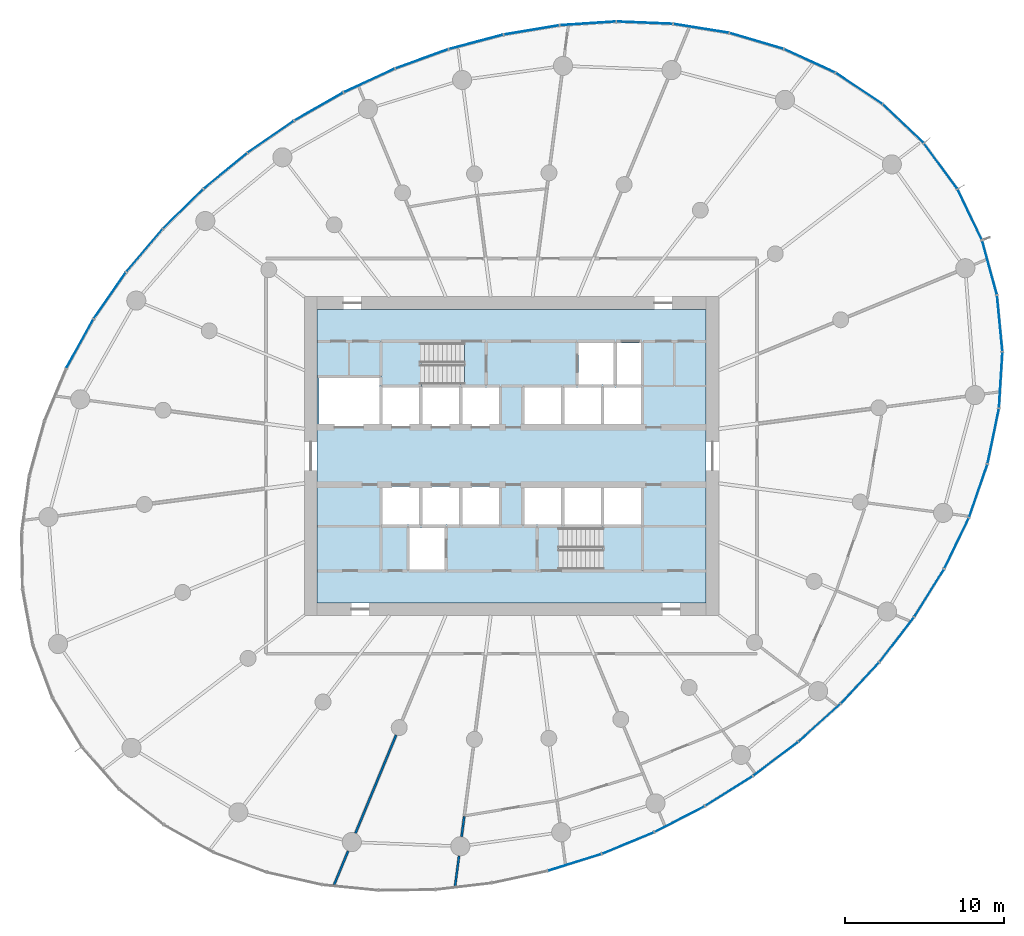
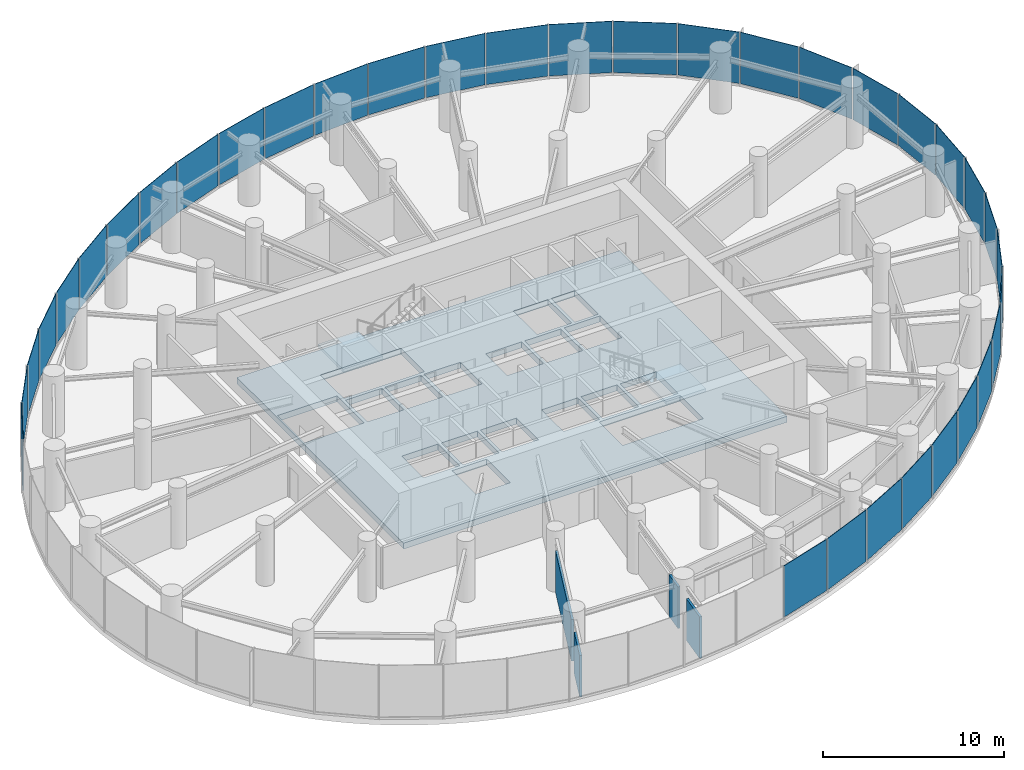
# One storey, part 9 of 17: 35 plates, 4 walls, 3 slabs, 10 elements without a shape of their own.
"""IFC4 building model written with IfcOpenShell, lengths in metres."""

from ifc_helpers import new_model, si_unit, direction, frame, frame_2d, origin, origin_2d, place, context, subcontext, project, spatial, line, indexed_curve, rectangle, outline, extrude, source, transform, mapped, material, layer, layer_set, type_object, element, aggregate, save


model = new_model("IFC4")

# Units and contexts
model_context = context("Model", 3, precision=1e-05, world=origin(), true_north=direction((0.0, 1.0)))
body_context = subcontext(model_context, "Body", "Model", "MODEL_VIEW")
ifc_project = project(units=[si_unit("LENGTHUNIT", "METRE"), si_unit("AREAUNIT", "SQUARE_METRE"), si_unit("VOLUMEUNIT", "CUBIC_METRE"), si_unit("PLANEANGLEUNIT", "RADIAN"), si_unit("MASSUNIT", "GRAM", prefix="KILO")], contexts=[model_context])

# Site, building, storey
site_placement = place(None, origin())
site = spatial("IfcSite", under=ifc_project, at=site_placement, CompositionType="ELEMENT")
building_placement = place(site_placement, origin())
building = spatial("IfcBuilding", under=site, at=building_placement, Name="Spindrift Exchange Tower", CompositionType="ELEMENT")
storey_placement = place(building_placement, frame((0.0, 0.0, 124.89990234375)))
storey = spatial("IfcBuildingStorey", under=building, at=storey_placement, Name="L29", CompositionType="ELEMENT", Elevation=124.89990234375)

# Slab
ifc_material_1 = material(Name="Concrete 50 MPa", Category="concrete")
ifc_layer_1 = layer(ifc_material_1, 0.39990234375)
ifc_layer_set_1 = layer_set([ifc_layer_1], Name="SL-CORE-FLOOR-400")
slab_type_1 = type_object("IfcSlabType", Name="SL-CORE-FLOOR-400", PredefinedType="FLOOR", material=ifc_layer_set_1)
slab_1_placement = place(storey_placement, frame((0.0, 0.0, -0.39990234375)))
element("IfcSlab", 1, at=slab_1_placement, inside=storey, type_object=slab_type_1, Name="L29 Core floor slab", PredefinedType="FLOOR", context=body_context, shape_type="SweptSolid", body=[
    extrude(outline(indexed_curve([(39.800048828125, 38.800048828125), (39.800048828125, 57.199951171875), (64.199951171875, 57.199951171875), (64.199951171875, 38.800048828125)], segments=[line(1, 2, 3, 4, 1)], self_intersect=False), holes=[indexed_curve([(47.800048828125, 43.5), (45.60009765625, 43.5), (45.60009765625, 40.89990234375), (47.800048828125, 40.89990234375)], segments=[line(1, 2, 3, 4, 1)], self_intersect=False), indexed_curve([(46.199951171875, 46.10009765625), (43.89990234375, 46.10009765625), (43.89990234375, 43.699951171875), (46.199951171875, 43.699951171875)], segments=[line(1, 2, 3, 4, 1)], self_intersect=False), indexed_curve([(48.699951171875, 46.10009765625), (46.39990234375, 46.10009765625), (46.39990234375, 43.699951171875), (48.699951171875, 43.699951171875)], segments=[line(1, 2, 3, 4, 1)], self_intersect=False), indexed_curve([(51.199951171875, 46.10009765625), (48.89990234375, 46.10009765625), (48.89990234375, 43.699951171875), (51.199951171875, 43.699951171875)], segments=[line(1, 2, 3, 4, 1)], self_intersect=False), indexed_curve([(46.199951171875, 52.300048828125), (43.89990234375, 52.300048828125), (43.89990234375, 49.89990234375), (46.199951171875, 49.89990234375)], segments=[line(1, 2, 3, 4, 1)], self_intersect=False), indexed_curve([(48.699951171875, 52.300048828125), (46.39990234375, 52.300048828125), (46.39990234375, 49.89990234375), (48.699951171875, 49.89990234375)], segments=[line(1, 2, 3, 4, 1)], self_intersect=False), indexed_curve([(51.199951171875, 52.300048828125), (48.89990234375, 52.300048828125), (48.89990234375, 49.89990234375), (51.199951171875, 49.89990234375)], segments=[line(1, 2, 3, 4, 1)], self_intersect=False), indexed_curve([(43.699951171875, 49.89990234375), (43.699951171875, 52.89990234375), (39.89990234375, 52.89990234375), (39.89990234375, 49.89990234375)], segments=[line(1, 2, 3, 4, 1)], self_intersect=False), indexed_curve([(49.0439453125, 55.093994140625), (43.906005859375, 55.093994140625), (43.906005859375, 52.506103515625), (49.0439453125, 52.506103515625)], segments=[line(1, 2, 3, 4, 1)], self_intersect=False), indexed_curve([(60.093994140625, 40.906005859375), (60.093994140625, 43.493896484375), (54.9560546875, 43.493896484375), (54.9560546875, 40.906005859375)], segments=[line(1, 2, 3, 4, 1)], self_intersect=False), indexed_curve([(55.10009765625, 46.10009765625), (52.800048828125, 46.10009765625), (52.800048828125, 43.699951171875), (55.10009765625, 43.699951171875)], segments=[line(1, 2, 3, 4, 1)], self_intersect=False), indexed_curve([(57.60009765625, 46.10009765625), (55.300048828125, 46.10009765625), (55.300048828125, 43.699951171875), (57.60009765625, 43.699951171875)], segments=[line(1, 2, 3, 4, 1)], self_intersect=False), indexed_curve([(60.10009765625, 46.10009765625), (57.800048828125, 46.10009765625), (57.800048828125, 43.699951171875), (60.10009765625, 43.699951171875)], segments=[line(1, 2, 3, 4, 1)], self_intersect=False), indexed_curve([(55.10009765625, 52.300048828125), (52.800048828125, 52.300048828125), (52.800048828125, 49.89990234375), (55.10009765625, 49.89990234375)], segments=[line(1, 2, 3, 4, 1)], self_intersect=False), indexed_curve([(57.60009765625, 52.300048828125), (55.300048828125, 52.300048828125), (55.300048828125, 49.89990234375), (57.60009765625, 49.89990234375)], segments=[line(1, 2, 3, 4, 1)], self_intersect=False), indexed_curve([(60.10009765625, 52.300048828125), (57.800048828125, 52.300048828125), (57.800048828125, 49.89990234375), (60.10009765625, 49.89990234375)], segments=[line(1, 2, 3, 4, 1)], self_intersect=False), indexed_curve([(58.39990234375, 52.5), (58.39990234375, 55.10009765625), (56.199951171875, 55.10009765625), (56.199951171875, 52.5)], segments=[line(1, 2, 3, 4, 1)], self_intersect=False), indexed_curve([(60.10009765625, 52.5), (60.10009765625, 55.10009765625), (58.60009765625, 55.10009765625), (58.60009765625, 52.5)], segments=[line(1, 2, 3, 4, 1)], self_intersect=False)]), origin(), (0.0, 0.0, 1.0), 0.39990234375),
])

# Stair, slab
stair_type = type_object("IfcStairType", Name="ST-1250-R186", PredefinedType="HALF_TURN_STAIR", material=ifc_material_1)
stair_1_placement = place(storey_placement, origin())
stair_1 = element("IfcStair", 2, at=stair_1_placement, inside=storey, type_object=stair_type, Name="L29 Exit stair ST1", PredefinedType="HALF_TURN_STAIR")
ifc_layer_2 = layer(ifc_material_1, 0.199951171875)
ifc_layer_set_2 = layer_set([ifc_layer_2], Name="SL-LANDING")
slab_type_2 = type_object("IfcSlabType", Name="SL-LANDING", PredefinedType="LANDING", material=ifc_layer_set_2)
slab_2_placement = place(storey_placement, frame((0.0, 0.0, 1.85009765625)))
slab_2 = element("IfcSlab", 3, at=slab_2_placement, type_object=slab_type_2, Name="ST1 landing 1", PredefinedType="LANDING", context=body_context, shape_type="SweptSolid", body=[
    extrude(outline(indexed_curve([(46.330078125, 52.39990234375), (43.800048828125, 52.39990234375), (43.800048828125, 55.199951171875), (46.330078125, 55.199951171875)], segments=[line(1, 2, 3, 4, 1)], self_intersect=False)), origin(), (0.0, 0.0, 1.0), 0.199951171875),
])
aggregate(stair_1, [slab_2])

stair_2_placement = place(storey_placement, origin())
stair_2 = element("IfcStair", 4, at=stair_2_placement, inside=storey, type_object=stair_type, Name="L29 Exit stair ST2", PredefinedType="HALF_TURN_STAIR")
slab_3_placement = place(storey_placement, frame((0.0, 0.0, 1.85009765625)))
slab_3 = element("IfcSlab", 5, at=slab_3_placement, type_object=slab_type_2, Name="ST2 landing 1", PredefinedType="LANDING", context=body_context, shape_type="SweptSolid", body=[
    extrude(outline(indexed_curve([(57.669921875, 43.60009765625), (60.199951171875, 43.60009765625), (60.199951171875, 40.800048828125), (57.669921875, 40.800048828125)], segments=[line(1, 2, 3, 4, 1)], self_intersect=False)), origin(), (0.0, 0.0, 1.0), 0.199951171875),
])
aggregate(stair_2, [slab_3])

# Curtain wall, plates
ifc_material_2 = material(Name="Fritted laminated glass with bronze frame", Category="glass")
ifc_layer_3 = layer(ifc_material_2, 0.18994140625)
ifc_layer_set_3 = layer_set([ifc_layer_3], Name="ZONE 2 BRONZE FRITTED WALL")
curtain_wall_type = type_object("IfcCurtainWallType", Name="ZONE 2 BRONZE FRITTED WALL", PredefinedType="NOTDEFINED", material=ifc_layer_set_3)
curtain_wall_1_placement = place(storey_placement, origin())
curtain_wall_1 = element("IfcCurtainWall", 6, at=curtain_wall_1_placement, inside=storey, type_object=curtain_wall_type, Name="L29 Zone 2 Bronze Fritted Wall run 1", PredefinedType="NOTDEFINED")
ifc_material_3 = material(Name="Bronze fritted laminated glass, close frit", Category="glass")
ifc_layer_4 = layer(ifc_material_3, 0.033935546875)
ifc_layer_set_4 = layer_set([ifc_layer_4], Name="ZONE 2 BRONZE FRITTED WALL PANEL CLOSE FRIT 420")
plate_type_1 = type_object("IfcPlateType", Name="ZONE 2 BRONZE FRITTED WALL PANEL CLOSE FRIT 420", PredefinedType="CURTAIN_PANEL", material=ifc_layer_set_4)
shared_shape_1 = source(origin(), body_context, "Body", "SweptSolid", [
    extrude(rectangle(XDim=3.48779296875, YDim=0.033935546875, at=origin_2d()), origin(), (0.0, 0.0, 1.0), 3.4599609375),
])
plate_1_placement = place(storey_placement, frame((78.911865234375, 66.188720703125, 0.14013671875), z_axis=(0.0, 0.0, 1.0), x_axis=(-0.590659185956, 0.806921139918, 0.0)))
plate_1 = element("IfcPlate", 7, at=plate_1_placement, type_object=plate_type_1, Name="L29 panel CW-2.1", PredefinedType="CURTAIN_PANEL", context=body_context, shape_type="MappedRepresentation", body=[
    mapped(shared_shape_1, transform((0.0, 0.0, 0.0), scale=1.0)),
])
ifc_layer_5 = layer(ifc_material_3, 0.033935546875)
ifc_layer_set_5 = layer_set([ifc_layer_5], Name="ZONE 2 BRONZE FRITTED WALL PANEL CLOSE FRIT 300")
plate_type_2 = type_object("IfcPlateType", Name="ZONE 2 BRONZE FRITTED WALL PANEL CLOSE FRIT 300", PredefinedType="CURTAIN_PANEL", material=ifc_layer_set_5)
shared_shape_2 = source(origin(), body_context, "Body", "SweptSolid", [
    extrude(rectangle(XDim=3.488037109375, YDim=0.033935546875, at=origin_2d()), origin(), (0.0, 0.0, 1.0), 3.4599609375),
])
plate_2_placement = place(storey_placement, frame((76.566162109375, 68.851318359375, 0.14013671875), z_axis=(0.0, 0.0, 1.0), x_axis=(-0.726028808688, 0.687664285066, 0.0)))
plate_2 = element("IfcPlate", 8, at=plate_2_placement, type_object=plate_type_2, Name="L29 panel CW-2.2", PredefinedType="CURTAIN_PANEL", context=body_context, shape_type="MappedRepresentation", body=[
    mapped(shared_shape_2, transform((0.0, 0.0, 0.0), scale=1.0)),
])
shared_shape_3 = source(origin(), body_context, "Body", "SweptSolid", [
    extrude(rectangle(XDim=3.48876953125, YDim=0.033935546875, at=origin_2d()), origin(), (0.0, 0.0, 1.0), 3.4599609375),
])
plate_3_placement = place(storey_placement, frame((73.789794921875, 71.064208984375, 0.14013671875), z_axis=(0.0, 0.0, 1.0), x_axis=(-0.832330632592, 0.55427945844, 0.0)))
plate_3 = element("IfcPlate", 9, at=plate_3_placement, type_object=plate_type_1, Name="L29 panel CW-2.3", PredefinedType="CURTAIN_PANEL", context=body_context, shape_type="MappedRepresentation", body=[
    mapped(shared_shape_3, transform((0.0, 0.0, 0.0), scale=1.0)),
])

# Curtain wall, plate
curtain_wall_2_placement = place(storey_placement, origin())
curtain_wall_2 = element("IfcCurtainWall", 10, at=curtain_wall_2_placement, inside=storey, type_object=curtain_wall_type, Name="L29 Zone 2 Bronze Fritted Wall run 9", PredefinedType="NOTDEFINED")
plate_4_placement = place(storey_placement, frame((82.616455078125, 56.328857421875, 0.14013671875), z_axis=(0.0, 0.0, 1.0), x_axis=(-0.095965625118, 0.995384648664, 0.0)))
plate_4 = element("IfcPlate", 11, at=plate_4_placement, type_object=plate_type_1, Name="L29 panel CW-2.49", PredefinedType="CURTAIN_PANEL", context=body_context, shape_type="MappedRepresentation", body=[
    mapped(shared_shape_3, transform((0.0, 0.0, 0.0), scale=1.0)),
])

# Plate
shared_shape_4 = source(origin(), body_context, "Body", "SweptSolid", [
    extrude(rectangle(XDim=3.489501953125, YDim=0.033935546875, at=origin_2d()), origin(), (0.0, 0.0, 1.0), 3.4599609375),
])
plate_5_placement = place(storey_placement, frame((70.686767578125, 72.795166015625, 0.14013671875), z_axis=(0.0, 0.0, 1.0), x_axis=(-0.908849194131, 0.417124852206, 0.0)))
plate_5 = element("IfcPlate", 12, at=plate_5_placement, type_object=plate_type_2, Name="L29 panel CW-2.4", PredefinedType="CURTAIN_PANEL", context=body_context, shape_type="MappedRepresentation", body=[
    mapped(shared_shape_4, transform((0.0, 0.0, 0.0), scale=1.0)),
])

# Curtain wall, plate
curtain_wall_3_placement = place(storey_placement, origin())
curtain_wall_3 = element("IfcCurtainWall", 13, at=curtain_wall_3_placement, inside=storey, type_object=curtain_wall_type, Name="L29 Zone 2 Bronze Fritted Wall run 8", PredefinedType="NOTDEFINED")
plate_6_placement = place(storey_placement, frame((82.6787109375, 52.7763671875, 0.14013671875), z_axis=(0.0, 0.0, 1.0), x_axis=(0.061076412693, 0.998133093236, 0.0)))
plate_6 = element("IfcPlate", 14, at=plate_6_placement, type_object=plate_type_2, Name="L29 panel CW-2.48", PredefinedType="CURTAIN_PANEL", context=body_context, shape_type="MappedRepresentation", body=[
    mapped(shared_shape_4, transform((0.0, 0.0, 0.0), scale=1.0)),
])

# Plate
shared_shape_5 = source(origin(), body_context, "Body", "SweptSolid", [
    extrude(rectangle(XDim=3.489990234375, YDim=0.033935546875, at=origin_2d()), origin(), (0.0, 0.0, 1.0), 3.4599609375),
])
plate_7_placement = place(storey_placement, frame((67.35791015625, 74.044189453125, 0.14013671875), z_axis=(0.0, 0.0, 1.0), x_axis=(-0.958929213304, 0.283645489781, 0.0)))
plate_7 = element("IfcPlate", 15, at=plate_7_placement, type_object=plate_type_2, Name="L29 panel CW-2.5", PredefinedType="CURTAIN_PANEL", context=body_context, shape_type="MappedRepresentation", body=[
    mapped(shared_shape_5, transform((0.0, 0.0, 0.0), scale=1.0)),
])

plate_8_placement = place(storey_placement, frame((82.208984375, 49.251953125, 0.14013671875), z_axis=(0.0, 0.0, 1.0), x_axis=(0.202353172625, 0.979312612769, 0.0)))
plate_8 = element("IfcPlate", 16, at=plate_8_placement, type_object=plate_type_2, Name="L29 panel CW-2.47", PredefinedType="CURTAIN_PANEL", context=body_context, shape_type="MappedRepresentation", body=[
    mapped(shared_shape_5, transform((0.0, 0.0, 0.0), scale=1.0)),
])

shared_shape_6 = source(origin(), body_context, "Body", "SweptSolid", [
    extrude(rectangle(XDim=3.490478515625, YDim=0.033935546875, at=origin_2d()), origin(), (0.0, 0.0, 1.0), 3.4599609375),
])
plate_9_placement = place(storey_placement, frame((63.88818359375, 74.831298828125, 0.14013671875), z_axis=(0.0, 0.0, 1.0), x_axis=(-0.98744553122, 0.157959877417, 0.0)))
plate_9 = element("IfcPlate", 17, at=plate_9_placement, type_object=plate_type_1, Name="L29 panel CW-2.6", PredefinedType="CURTAIN_PANEL", context=body_context, shape_type="MappedRepresentation", body=[
    mapped(shared_shape_6, transform((0.0, 0.0, 0.0), scale=1.0)),
])

aggregate(curtain_wall_1, [plate_1, plate_2, plate_3, plate_5, plate_7, plate_9])

plate_10_placement = place(storey_placement, frame((81.26611328125, 45.8212890625, 0.14013671875), z_axis=(0.0, 0.0, 1.0), x_axis=(0.326658747012, 0.945142350655, 0.0)))
plate_10 = element("IfcPlate", 18, at=plate_10_placement, type_object=plate_type_1, Name="L29 panel CW-2.46", PredefinedType="CURTAIN_PANEL", context=body_context, shape_type="MappedRepresentation", body=[
    mapped(shared_shape_6, transform((0.0, 0.0, 0.0), scale=1.0)),
])

# Curtain wall, plate
curtain_wall_4_placement = place(storey_placement, origin())
curtain_wall_4 = element("IfcCurtainWall", 19, at=curtain_wall_4_placement, inside=storey, type_object=curtain_wall_type, Name="L29 Zone 2 Bronze Fritted Wall run 2", PredefinedType="NOTDEFINED")
shared_shape_7 = source(origin(), body_context, "Body", "SweptSolid", [
    extrude(rectangle(XDim=3.490966796875, YDim=0.033935546875, at=origin_2d()), origin(), (0.0, 0.0, 1.0), 3.4599609375),
])
plate_11_placement = place(storey_placement, frame((60.346435546875, 75.18701171875, 0.14013671875), z_axis=(0.0, 0.0, 1.0), x_axis=(-0.999138328547, 0.041504221806, 0.0)))
plate_11 = element("IfcPlate", 20, at=plate_11_placement, type_object=plate_type_2, Name="L29 panel CW-2.7", PredefinedType="CURTAIN_PANEL", context=body_context, shape_type="MappedRepresentation", body=[
    mapped(shared_shape_7, transform((0.0, 0.0, 0.0), scale=1.0)),
])

# Plate
plate_12_placement = place(storey_placement, frame((79.908447265625, 42.53076171875, 0.14013671875), z_axis=(0.0, 0.0, 1.0), x_axis=(0.434842934828, 0.900506314265, 0.0)))
plate_12 = element("IfcPlate", 21, at=plate_12_placement, type_object=plate_type_2, Name="L29 panel CW-2.45", PredefinedType="CURTAIN_PANEL", context=body_context, shape_type="MappedRepresentation", body=[
    mapped(shared_shape_7, transform((0.0, 0.0, 0.0), scale=1.0)),
])

ifc_layer_6 = layer(ifc_material_3, 0.033935546875)
ifc_layer_set_6 = layer_set([ifc_layer_6], Name="ZONE 2 BRONZE FRITTED WALL PANEL CLOSE FRIT 540")
plate_type_3 = type_object("IfcPlateType", Name="ZONE 2 BRONZE FRITTED WALL PANEL CLOSE FRIT 540", PredefinedType="CURTAIN_PANEL", material=ifc_layer_set_6)
shared_shape_8 = source(origin(), body_context, "Body", "SweptSolid", [
    extrude(rectangle(XDim=3.4912109375, YDim=0.033935546875, at=origin_2d()), origin(), (0.0, 0.0, 1.0), 3.4599609375),
])
plate_13_placement = place(storey_placement, frame((56.78564453125, 75.143798828125, 0.14013671875), z_axis=(0.0, 0.0, 1.0), x_axis=(-0.997839244477, -0.065702680166, 0.0)))
plate_13 = element("IfcPlate", 22, at=plate_13_placement, type_object=plate_type_3, Name="L29 panel CW-2.8", PredefinedType="CURTAIN_PANEL", context=body_context, shape_type="MappedRepresentation", body=[
    mapped(shared_shape_8, transform((0.0, 0.0, 0.0), scale=1.0)),
])

# Curtain wall, plate
curtain_wall_5_placement = place(storey_placement, origin())
curtain_wall_5 = element("IfcCurtainWall", 23, at=curtain_wall_5_placement, inside=storey, type_object=curtain_wall_type, Name="L29 Zone 2 Bronze Fritted Wall run 3", PredefinedType="NOTDEFINED")
plate_14_placement = place(storey_placement, frame((26.788818359375, 58.076416015625, 0.14013671875), z_axis=(0.0, 0.0, 1.0), x_axis=(-0.570995869564, -0.820952932232, 0.0)))
plate_14 = element("IfcPlate", 24, at=plate_14_placement, type_object=plate_type_3, Name="L29 panel CW-2.18", PredefinedType="CURTAIN_PANEL", context=body_context, shape_type="MappedRepresentation", body=[
    mapped(shared_shape_8, transform((0.0, 0.0, 0.0), scale=1.0)),
])

# Plate
shared_shape_9 = source(origin(), body_context, "Body", "SweptSolid", [
    extrude(rectangle(XDim=3.491455078125, YDim=0.033935546875, at=origin_2d()), origin(), (0.0, 0.0, 1.0), 3.4599609375),
])
plate_15_placement = place(storey_placement, frame((53.24755859375, 74.7333984375, 0.14013671875), z_axis=(0.0, 0.0, 1.0), x_axis=(-0.986384804265, -0.164453695352, 0.0)))
plate_15 = element("IfcPlate", 25, at=plate_15_placement, type_object=plate_type_1, Name="L29 panel CW-2.9", PredefinedType="CURTAIN_PANEL", context=body_context, shape_type="MappedRepresentation", body=[
    mapped(shared_shape_9, transform((0.0, 0.0, 0.0), scale=1.0)),
])

shared_shape_10 = source(origin(), body_context, "Body", "SweptSolid", [
    extrude(rectangle(XDim=3.49169921875, YDim=0.033935546875, at=origin_2d()), origin(), (0.0, 0.0, 1.0), 3.4599609375),
])
plate_16_placement = place(storey_placement, frame((49.7646484375, 73.98388671875, 0.14013671875), z_axis=(0.0, 0.0, 1.0), x_axis=(-0.966731483705, -0.255793350997, 0.0)))
plate_16 = element("IfcPlate", 26, at=plate_16_placement, type_object=plate_type_2, Name="L29 panel CW-2.10", PredefinedType="CURTAIN_PANEL", context=body_context, shape_type="MappedRepresentation", body=[
    mapped(shared_shape_10, transform((0.0, 0.0, 0.0), scale=1.0)),
])

plate_17_placement = place(storey_placement, frame((46.3642578125, 72.920166015625, 0.14013671875), z_axis=(0.0, 0.0, 1.0), x_axis=(-0.940135950116, -0.340799640991, 0.0)))
plate_17 = element("IfcPlate", 27, at=plate_17_placement, type_object=plate_type_2, Name="L29 panel CW-2.11", PredefinedType="CURTAIN_PANEL", context=body_context, shape_type="MappedRepresentation", body=[
    mapped(shared_shape_10, transform((0.0, 0.0, 0.0), scale=1.0)),
])

plate_18_placement = place(storey_placement, frame((43.069580078125, 71.5625, 0.14013671875), z_axis=(0.0, 0.0, 1.0), x_axis=(-0.907290032688, -0.42050540613, 0.0)))
plate_18 = element("IfcPlate", 28, at=plate_18_placement, type_object=plate_type_2, Name="L29 panel CW-2.12", PredefinedType="CURTAIN_PANEL", context=body_context, shape_type="MappedRepresentation", body=[
    mapped(shared_shape_10, transform((0.0, 0.0, 0.0), scale=1.0)),
])

aggregate(curtain_wall_4, [plate_11, plate_13, plate_15, plate_16, plate_17, plate_18])

plate_19_placement = place(storey_placement, frame((36.88525390625, 68.033203125, 0.14013671875), z_axis=(0.0, 0.0, 1.0), x_axis=(-0.823645449431, -0.567105081649, 0.0)))
plate_19 = element("IfcPlate", 29, at=plate_19_placement, type_object=plate_type_2, Name="L29 panel CW-2.14", PredefinedType="CURTAIN_PANEL", context=body_context, shape_type="MappedRepresentation", body=[
    mapped(shared_shape_10, transform((0.0, 0.0, 0.0), scale=1.0)),
])

plate_20_placement = place(storey_placement, frame((34.0390625, 65.888916015625, 0.14013671875), z_axis=(0.0, 0.0, 1.0), x_axis=(-0.772364541036, -0.635179514587, 0.0)))
plate_20 = element("IfcPlate", 30, at=plate_20_placement, type_object=plate_type_2, Name="L29 panel CW-2.15", PredefinedType="CURTAIN_PANEL", context=body_context, shape_type="MappedRepresentation", body=[
    mapped(shared_shape_10, transform((0.0, 0.0, 0.0), scale=1.0)),
])

# Curtain wall, plate
curtain_wall_6_placement = place(storey_placement, origin())
curtain_wall_6 = element("IfcCurtainWall", 31, at=curtain_wall_6_placement, inside=storey, type_object=curtain_wall_type, Name="L29 Zone 2 Bronze Fritted Wall run 7", PredefinedType="NOTDEFINED")
plate_21_placement = place(storey_placement, frame((65.6259765625, 26.9873046875, 0.14013671875), z_axis=(0.0, 0.0, 1.0), x_axis=(0.846850991461, 0.531830234437, 0.0)))
plate_21 = element("IfcPlate", 32, at=plate_21_placement, type_object=plate_type_2, Name="L29 panel CW-2.39", PredefinedType="CURTAIN_PANEL", context=body_context, shape_type="MappedRepresentation", body=[
    mapped(shared_shape_10, transform((0.0, 0.0, 0.0), scale=1.0)),
])

# Plate
shared_shape_11 = source(origin(), body_context, "Body", "SweptSolid", [
    extrude(rectangle(XDim=3.49169921875, YDim=0.033935546875, at=origin_2d()), origin(), (0.0, 0.0, 1.0), 3.4599609375),
])
plate_22_placement = place(storey_placement, frame((39.90283203125, 69.928466796875, 0.14013671875), z_axis=(0.0, 0.0, 1.0), x_axis=(-0.868491392081, -0.495704248399, 0.0)))
plate_22 = element("IfcPlate", 33, at=plate_22_placement, type_object=plate_type_3, Name="L29 panel CW-2.13", PredefinedType="CURTAIN_PANEL", context=body_context, shape_type="MappedRepresentation", body=[
    mapped(shared_shape_11, transform((0.0, 0.0, 0.0), scale=1.0)),
])

# Curtain wall, plate
curtain_wall_7_placement = place(storey_placement, origin())
curtain_wall_7 = element("IfcCurtainWall", 34, at=curtain_wall_7_placement, inside=storey, type_object=curtain_wall_type, Name="L29 Zone 2 Bronze Fritted Wall run 6", PredefinedType="NOTDEFINED")
plate_23_placement = place(storey_placement, frame((55.947265625, 22.510009765625, 0.14013671875), z_axis=(0.0, 0.0, 1.0), x_axis=(0.95424502572, 0.299025803047, 0.0)))
plate_23 = element("IfcPlate", 35, at=plate_23_placement, type_object=plate_type_3, Name="L29 panel CW-2.36", PredefinedType="CURTAIN_PANEL", context=body_context, shape_type="MappedRepresentation", body=[
    mapped(shared_shape_11, transform((0.0, 0.0, 0.0), scale=1.0)),
])
aggregate(curtain_wall_7, [plate_23])

# Plate
plate_24_placement = place(storey_placement, frame((68.560791015625, 29.008544921875, 0.14013671875), z_axis=(0.0, 0.0, 1.0), x_axis=(0.798841334926, 0.601541787089, 0.0)))
plate_24 = element("IfcPlate", 36, at=plate_24_placement, type_object=plate_type_3, Name="L29 panel CW-2.40", PredefinedType="CURTAIN_PANEL", context=body_context, shape_type="MappedRepresentation", body=[
    mapped(shared_shape_11, transform((0.0, 0.0, 0.0), scale=1.0)),
])

plate_25_placement = place(storey_placement, frame((71.3125, 31.272705078125, 0.14013671875), z_axis=(0.0, 0.0, 1.0), x_axis=(0.744104035706, 0.668063757471, 0.0)))
plate_25 = element("IfcPlate", 37, at=plate_25_placement, type_object=plate_type_3, Name="L29 panel CW-2.41", PredefinedType="CURTAIN_PANEL", context=body_context, shape_type="MappedRepresentation", body=[
    mapped(shared_shape_11, transform((0.0, 0.0, 0.0), scale=1.0)),
])

shared_shape_12 = source(origin(), body_context, "Body", "SweptSolid", [
    extrude(rectangle(XDim=3.491455078125, YDim=0.033935546875, at=origin_2d()), origin(), (0.0, 0.0, 1.0), 3.4599609375),
])
plate_26_placement = place(storey_placement, frame((31.388427734375, 63.507568359375, 0.14013671875), z_axis=(0.0, 0.0, 1.0), x_axis=(-0.713915612255, -0.700231746338, 0.0)))
plate_26 = element("IfcPlate", 38, at=plate_26_placement, type_object=plate_type_3, Name="L29 panel CW-2.16", PredefinedType="CURTAIN_PANEL", context=body_context, shape_type="MappedRepresentation", body=[
    mapped(shared_shape_12, transform((0.0, 0.0, 0.0), scale=1.0)),
])

plate_27_placement = place(storey_placement, frame((28.961181640625, 60.8994140625, 0.14013671875), z_axis=(0.0, 0.0, 1.0), x_axis=(-0.647226276713, -0.762297938297, 0.0)))
plate_27 = element("IfcPlate", 39, at=plate_27_placement, type_object=plate_type_3, Name="L29 panel CW-2.17", PredefinedType="CURTAIN_PANEL", context=body_context, shape_type="MappedRepresentation", body=[
    mapped(shared_shape_12, transform((0.0, 0.0, 0.0), scale=1.0)),
])

aggregate(curtain_wall_5, [plate_22, plate_19, plate_20, plate_26, plate_27, plate_14])

plate_28_placement = place(storey_placement, frame((73.85498046875, 33.768798828125, 0.14013671875), z_axis=(0.0, 0.0, 1.0), x_axis=(0.681668966054, 0.731660727878, 0.0)))
plate_28 = element("IfcPlate", 40, at=plate_28_placement, type_object=plate_type_3, Name="L29 panel CW-2.42", PredefinedType="CURTAIN_PANEL", context=body_context, shape_type="MappedRepresentation", body=[
    mapped(shared_shape_12, transform((0.0, 0.0, 0.0), scale=1.0)),
])

# Curtain wall, plate
curtain_wall_8_placement = place(storey_placement, origin())
curtain_wall_8 = element("IfcCurtainWall", 41, at=curtain_wall_8_placement, inside=storey, type_object=curtain_wall_type, Name="L29 Zone 2 Bronze Fritted Wall run 4", PredefinedType="NOTDEFINED")
shared_shape_13 = source(origin(), body_context, "Body", "SweptSolid", [
    extrude(rectangle(XDim=3.490966796875, YDim=0.033935546875, at=origin_2d()), origin(), (0.0, 0.0, 1.0), 3.4599609375),
])
plate_29_placement = place(storey_placement, frame((24.90869140625, 55.0517578125, 0.14013671875), z_axis=(0.0, 0.0, 1.0), x_axis=(-0.483450451471, -0.875371727309, 0.0)))
plate_29 = element("IfcPlate", 42, at=plate_29_placement, type_object=plate_type_1, Name="L29 panel CW-2.19", PredefinedType="CURTAIN_PANEL", context=body_context, shape_type="MappedRepresentation", body=[
    mapped(shared_shape_13, transform((0.0, 0.0, 0.0), scale=1.0)),
])
aggregate(curtain_wall_8, [plate_29])

# Plate
shared_shape_14 = source(origin(), body_context, "Body", "SweptSolid", [
    extrude(rectangle(XDim=3.48779296875, YDim=0.033935546875, at=origin_2d()), origin(), (0.0, 0.0, 1.0), 3.4599609375),
])
plate_30_placement = place(storey_placement, frame((80.73486328125, 63.1455078125, 0.14013671875), z_axis=(0.0, 0.0, 1.0), x_axis=(-0.432738843199, 0.901519325132, 0.0)))
plate_30 = element("IfcPlate", 43, at=plate_30_placement, type_object=plate_type_2, Name="L29 panel CW-2.51", PredefinedType="CURTAIN_PANEL", context=body_context, shape_type="MappedRepresentation", body=[
    mapped(shared_shape_14, transform((0.0, 0.0, 0.0), scale=1.0)),
])

shared_shape_15 = source(origin(), body_context, "Body", "SweptSolid", [
    extrude(rectangle(XDim=3.4912109375, YDim=0.033935546875, at=origin_2d()), origin(), (0.0, 0.0, 1.0), 3.4599609375),
])
plate_31_placement = place(storey_placement, frame((78.190185546875, 39.411865234375, 0.14013671875), z_axis=(0.0, 0.0, 1.0), x_axis=(0.528779091214, 0.848759490489, 0.0)))
plate_31 = element("IfcPlate", 44, at=plate_31_placement, type_object=plate_type_2, Name="L29 panel CW-2.44", PredefinedType="CURTAIN_PANEL", context=body_context, shape_type="MappedRepresentation", body=[
    mapped(shared_shape_15, transform((0.0, 0.0, 0.0), scale=1.0)),
])

shared_shape_16 = source(origin(), body_context, "Body", "SweptSolid", [
    extrude(rectangle(XDim=3.49169921875, YDim=0.033935546875, at=origin_2d()), origin(), (0.0, 0.0, 1.0), 3.4599609375),
])
plate_32_placement = place(storey_placement, frame((59.297607421875, 23.723388671875, 0.14013671875), z_axis=(0.0, 0.0, 1.0), x_axis=(0.924457551299, 0.381284979834, 0.0)))
plate_32 = element("IfcPlate", 45, at=plate_32_placement, type_object=plate_type_1, Name="L29 panel CW-2.37", PredefinedType="CURTAIN_PANEL", context=body_context, shape_type="MappedRepresentation", body=[
    mapped(shared_shape_16, transform((0.0, 0.0, 0.0), scale=1.0)),
])

plate_33_placement = place(storey_placement, frame((62.531005859375, 25.220947265625, 0.14013671875), z_axis=(0.0, 0.0, 1.0), x_axis=(0.888640445857, 0.458604576937, 0.0)))
plate_33 = element("IfcPlate", 46, at=plate_33_placement, type_object=plate_type_1, Name="L29 panel CW-2.38", PredefinedType="CURTAIN_PANEL", context=body_context, shape_type="MappedRepresentation", body=[
    mapped(shared_shape_16, transform((0.0, 0.0, 0.0), scale=1.0)),
])

aggregate(curtain_wall_6, [plate_32, plate_33, plate_21, plate_24, plate_25, plate_28])

shared_shape_17 = source(origin(), body_context, "Body", "SweptSolid", [
    extrude(rectangle(XDim=3.491455078125, YDim=0.033935546875, at=origin_2d()), origin(), (0.0, 0.0, 1.0), 3.4599609375),
])
plate_34_placement = place(storey_placement, frame((76.158935546875, 36.486083984375, 0.14013671875), z_axis=(0.0, 0.0, 1.0), x_axis=(0.610398186327, 0.792094725477, 0.0)))
plate_34 = element("IfcPlate", 47, at=plate_34_placement, type_object=plate_type_2, Name="L29 panel CW-2.43", PredefinedType="CURTAIN_PANEL", context=body_context, shape_type="MappedRepresentation", body=[
    mapped(shared_shape_17, transform((0.0, 0.0, 0.0), scale=1.0)),
])

aggregate(curtain_wall_3, [plate_34, plate_31, plate_12, plate_10, plate_8, plate_6])

shared_shape_18 = source(origin(), body_context, "Body", "SweptSolid", [
    extrude(rectangle(XDim=3.488037109375, YDim=0.033935546875, at=origin_2d()), origin(), (0.0, 0.0, 1.0), 3.4599609375),
])
plate_35_placement = place(storey_placement, frame((81.9755859375, 59.821044921875, 0.14013671875), z_axis=(0.0, 0.0, 1.0), x_axis=(-0.26372826855, 0.964597014493, 0.0)))
plate_35 = element("IfcPlate", 48, at=plate_35_placement, type_object=plate_type_1, Name="L29 panel CW-2.50", PredefinedType="CURTAIN_PANEL", context=body_context, shape_type="MappedRepresentation", body=[
    mapped(shared_shape_18, transform((0.0, 0.0, 0.0), scale=1.0)),
])

aggregate(curtain_wall_2, [plate_4, plate_35, plate_30])

# Walls
ifc_material_4 = material(Name="Fire-rated plasterboard partition", Category="gypsum")
ifc_layer_7 = layer(ifc_material_4, 0.139892578125)
ifc_layer_set_7 = layer_set([ifc_layer_7], Name="W-PLANT-140")
wall_type = type_object("IfcWallType", Name="W-PLANT-140", PredefinedType="PARTITIONING", material=ifc_layer_set_7)
wall_1_placement = place(storey_placement, frame((44.752197265625, 30.502197265625, 0.0), z_axis=(0.0, 0.0, 1.0), x_axis=(-0.382696989205, -0.923873916968, 0.0)))
element("IfcWall", 49, at=wall_1_placement, inside=storey, type_object=wall_type, Name="L29 Partition wall 68", PredefinedType="PARTITIONING", context=body_context, shape_type="SweptSolid", body=[
    extrude(rectangle(XDim=6.662841796875, YDim=0.139892578125, at=frame_2d((3.33154296875, 0.0))), origin(), (0.0, 0.0, 1.0), 2.800048828125),
])
wall_2_placement = place(storey_placement, frame((41.739501953125, 23.22900390625, 0.0), z_axis=(0.0, 0.0, 1.0), x_axis=(-0.382697386614, -0.923873752348, 0.0)))
element("IfcWall", 50, at=wall_2_placement, inside=storey, type_object=wall_type, Name="L29 Partition wall 100", PredefinedType="PARTITIONING", context=body_context, shape_type="SweptSolid", body=[
    extrude(rectangle(XDim=2.28759765625, YDim=0.139892578125, at=frame_2d((1.143798828125, 0.0))), origin(), (0.0, 0.0, 1.0), 2.800048828125),
])
wall_3_placement = place(storey_placement, frame((48.69873046875, 22.924072265625, 0.0), z_axis=(0.0, 0.0, 1.0), x_axis=(-0.130527053476, -0.991444747987, 0.0)))
element("IfcWall", 51, at=wall_3_placement, inside=storey, type_object=wall_type, Name="L29 Partition wall 106", PredefinedType="PARTITIONING", context=body_context, shape_type="SweptSolid", body=[
    extrude(rectangle(XDim=1.915283203125, YDim=0.139892578125, at=frame_2d((0.95751953125, 0.0))), origin(), (0.0, 0.0, 1.0), 2.800048828125),
])
wall_4_placement = place(storey_placement, frame((49.02490234375, 25.401611328125, 0.0), z_axis=(0.0, 0.0, 1.0), x_axis=(-0.130552399509, -0.991441410766, 0.0)))
element("IfcWall", 52, at=wall_4_placement, inside=storey, type_object=wall_type, Name="L29 Partition wall 111", PredefinedType="PARTITIONING", context=body_context, shape_type="SweptSolid", body=[
    extrude(rectangle(XDim=1.290283203125, YDim=0.139892578125, at=frame_2d((0.64501953125, 0.0))), origin(), (0.0, 0.0, 1.0), 2.800048828125),
])

save(model, "model.ifc")
